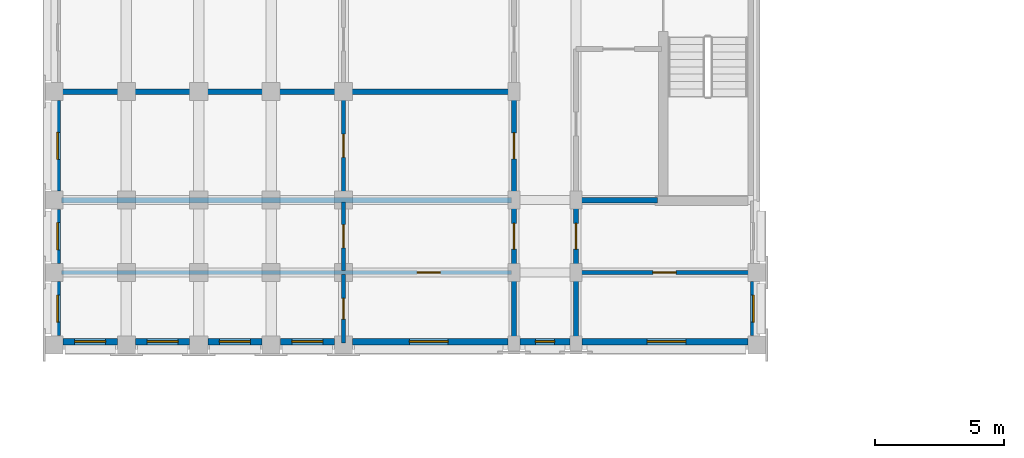
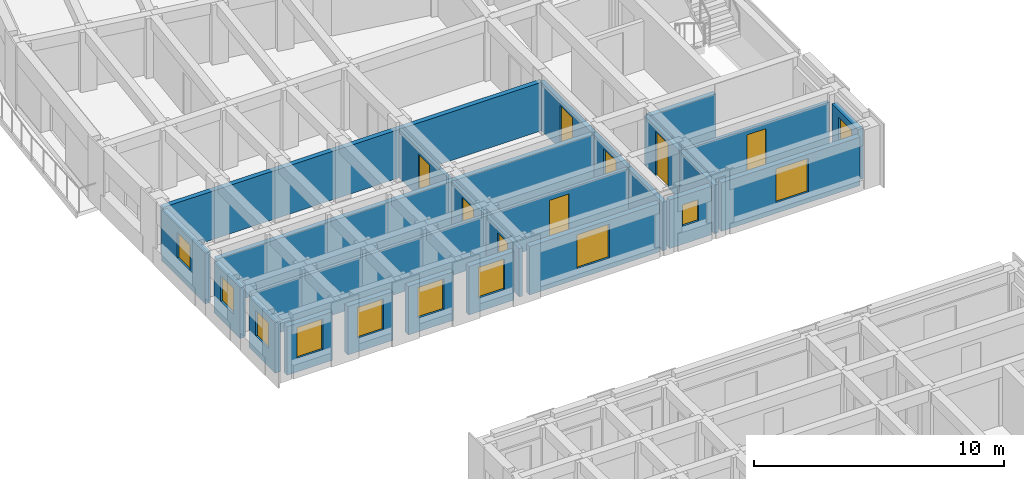
# One storey, part 24 of 57: 24 walls, 11 windows, 8 doors, 19 openings.
"""IFC4 building model written with IfcOpenShell, lengths in metres."""

import ifcopenshell
import ifcopenshell.guid

model = None  # the IFC model being written
_history = None  # IfcOwnerHistory: only IFC2X3 demands one
_inside = {}  # id of a spatial element -> (the spatial element, [elements in it])
_under = {}  # id of a project, library or spatial element -> (it, [spatial elements below it])
_declared = {}  # id of a project -> (the project, [libraries it declares])
_typed = {}  # id of a type object -> (the type object, [elements of that type])
_made_of = {}  # id of a material, layer set ... -> (it, [elements and type objects made of it])


def new_model(schema):
    """Start an empty IFC model of exactly this schema.

    Asked for "IFC4X3", IfcOpenShell would pick the latest addendum, in which some entities
    have other attributes; the version numbers below select the first issue.
    IFC2X3 requires an IfcOwnerHistory on every rooted entity: one is made here for all.
    """
    global model, _history
    if schema == "IFC4X3":
        model = ifcopenshell.file(schema_version=(4, 3, 0, 0))
    else:
        model = ifcopenshell.file(schema=schema)
    _inside.clear()
    _under.clear()
    _declared.clear()
    _typed.clear()
    _made_of.clear()
    _history = None
    if model.schema == "IFC2X3":
        org = make("IfcOrganization", Name="unknown")
        user = make(
            "IfcPersonAndOrganization",
            ThePerson=make("IfcPerson", FamilyName="unknown"),
            TheOrganization=org,
        )
        app = make(
            "IfcApplication",
            ApplicationDeveloper=org,
            Version="unknown",
            ApplicationFullName="unknown",
            ApplicationIdentifier="unknown",
        )
        _history = make(
            "IfcOwnerHistory",
            OwningUser=user,
            OwningApplication=app,
            ChangeAction="ADDED",
            CreationDate=0,
        )
    return model


def make(cls, **values):
    """One entity of the class cls with the attributes given. An attribute that is None is left unset."""
    return model.create_entity(
        cls, **{name: value for name, value in values.items() if value is not None}
    )


def rooted(cls, **values):
    """An entity with a GlobalId (a new one), such as an element, a storey or a relation."""
    return make(cls, GlobalId=ifcopenshell.guid.new(), OwnerHistory=_history, **values)


def si_unit(unit_type, name, prefix=None):
    """IfcSIUnit, for example si_unit("LENGTHUNIT", "METRE", prefix="MILLI")."""
    return make("IfcSIUnit", UnitType=unit_type, Prefix=prefix, Name=name)


def assignment(units):
    """IfcUnitAssignment: the units of a project."""
    return None if units is None else make("IfcUnitAssignment", Units=units)


def point(xyz):
    """IfcCartesianPoint."""
    return None if xyz is None else make("IfcCartesianPoint", Coordinates=xyz)


def direction(xyz):
    """IfcDirection."""
    return None if xyz is None else make("IfcDirection", DirectionRatios=xyz)


def frame(location, z_axis=None, x_axis=None):
    """IfcAxis2Placement3D, a coordinate frame: its origin and axes. An axis left out is left unset."""
    return make(
        "IfcAxis2Placement3D",
        Location=point(location),
        Axis=direction(z_axis),
        RefDirection=direction(x_axis),
    )


def frame_2d(location, x_axis=None):
    """IfcAxis2Placement2D, a coordinate frame in the plane: its origin and x axis."""
    return make(
        "IfcAxis2Placement2D", Location=point(location), RefDirection=direction(x_axis)
    )


def origin():
    """The frame at (0, 0, 0) with its axes left unset."""
    return frame((0.0, 0.0, 0.0))


def place(relative_to, where):
    """IfcLocalPlacement: puts the frame where relative to a parent placement (None: the world)."""
    return make(
        "IfcLocalPlacement", PlacementRelTo=relative_to, RelativePlacement=where
    )


def context(
    kind, dimensions, precision=None, world=None, true_north=None, identifier=None
):
    """IfcGeometricRepresentationContext, for example the 3D "Model" context."""
    return make(
        "IfcGeometricRepresentationContext",
        ContextIdentifier=identifier,
        ContextType=kind,
        CoordinateSpaceDimension=dimensions,
        Precision=precision,
        WorldCoordinateSystem=world,
        TrueNorth=true_north,
    )


def subcontext(parent, identifier, kind, view, scale=None):
    """IfcGeometricRepresentationSubContext, for example "Body" below "Model"."""
    return make(
        "IfcGeometricRepresentationSubContext",
        ContextIdentifier=identifier,
        ContextType=kind,
        ParentContext=parent,
        TargetScale=scale,
        TargetView=view,
    )


def project(units=None, contexts=None):
    """IfcProject with its units and contexts."""
    return rooted(
        "IfcProject",
        Name="project",
        RepresentationContexts=contexts,
        UnitsInContext=assignment(units),
    )


def spatial(cls, under=None, at=None, **own):
    """A site, building, storey or space (cls), placed at a placement, below another one or the project."""
    s = rooted(cls, ObjectPlacement=at, **own)
    if under is not None:
        _under.setdefault(under.id(), (under, []))[1].append(s)
    return s


def profile(cls, at=None, kind="AREA", **sizes):
    """A parametric profile (cls). Its sizes go by their IFC names, for example OverallWidth=200.0."""
    return make(cls, ProfileType=kind, Position=at, **sizes)


def rectangle(**sizes):
    """IfcRectangleProfileDef."""
    return profile("IfcRectangleProfileDef", **sizes)


def extrude(swept, where, along, depth):
    """IfcExtrudedAreaSolid: the profile swept, set in the frame where, extruded along a direction by depth."""
    return make(
        "IfcExtrudedAreaSolid",
        SweptArea=swept,
        Position=where,
        ExtrudedDirection=direction(along),
        Depth=depth,
    )


def shape(context_of_items, identifier, shape_type, items):
    """IfcShapeRepresentation: the items that make up one representation, for example the "Body"."""
    return make(
        "IfcShapeRepresentation",
        ContextOfItems=context_of_items,
        RepresentationIdentifier=identifier,
        RepresentationType=shape_type,
        Items=items,
    )


def material(Name=None, Category=None):
    """IfcMaterial."""
    return make("IfcMaterial", Name=Name, Category=Category)


def layer(
    of_material, thickness, ventilated=None, Name=None, Category=None, Priority=None
):
    """IfcMaterialLayer: one layer of a wall or slab, of a material (None: an air gap)."""
    return make(
        "IfcMaterialLayer",
        Material=of_material,
        LayerThickness=thickness,
        IsVentilated=ventilated,
        Name=Name,
        Category=Category,
        Priority=Priority,
    )


def layer_set(layers, Name=None):
    """IfcMaterialLayerSet."""
    return make("IfcMaterialLayerSet", MaterialLayers=layers, LayerSetName=Name)


def made_of(thing, what):
    """Note that an element or type object is made of a material, layer set ...; save() writes the relation."""
    if what is not None:
        _made_of.setdefault(what.id(), (what, []))[1].append(thing)
    return thing


def type_object(cls, material=None, **own):
    """A type object (cls), such as IfcWallType, which elements share."""
    return made_of(rooted(cls, **own), material)


def element(
    cls,
    number,
    at=None,
    inside=None,
    cuts=None,
    type_object=None,
    material=None,
    context=None,
    identifier="Body",
    shape_type=None,
    held_by="IfcProductDefinitionShape",
    body=None,
    shapes=None,
    **own,
):
    """One element of the class cls, such as IfcWall. Its Tag is "e" and its number.

    at: its placement. inside: the storey or other place that contains it. cuts: it is an
    opening in that element (IfcRelVoidsElement). A single representation is given by context,
    identifier, shape_type and body (its items); several are given by shapes. held_by: the class
    of the entity that holds the representations. save() writes the other relations.
    """
    e = rooted(cls, Tag="e%d" % number, ObjectPlacement=at, **own)
    if body is not None:
        shapes = [shape(context, identifier, shape_type, body)]
    if shapes is not None:
        e.Representation = make(held_by, Representations=shapes)
    if inside is not None:
        _inside.setdefault(inside.id(), (inside, []))[1].append(e)
    if cuts is not None:
        rooted(
            "IfcRelVoidsElement", RelatingBuildingElement=cuts, RelatedOpeningElement=e
        )
    if type_object is not None:
        _typed.setdefault(type_object.id(), (type_object, []))[1].append(e)
    return made_of(e, material)


def fill(opening, filler):
    """IfcRelFillsElement: the door or window that sits in an opening."""
    return rooted(
        "IfcRelFillsElement",
        RelatingOpeningElement=opening,
        RelatedBuildingElement=filler,
    )


def aggregate(whole, parts):
    """IfcRelAggregates: a whole, such as a stair, and the parts it consists of."""
    return rooted("IfcRelAggregates", RelatingObject=whole, RelatedObjects=parts)


def save(model, path):
    """Write the relations noted so far, then the file.

    IfcRelAggregates (storeys below a building ...), IfcRelContainedInSpatialStructure (elements
    in a storey), IfcRelDefinesByType, IfcRelAssociatesMaterial and IfcRelDeclares: one each for
    every whole, place, type object, material and project.
    """
    for whole, parts in _under.values():
        aggregate(whole, parts)
    for where, things in _inside.values():
        rooted(
            "IfcRelContainedInSpatialStructure",
            RelatedElements=things,
            RelatingStructure=where,
        )
    for kind, things in _typed.values():
        rooted("IfcRelDefinesByType", RelatedObjects=things, RelatingType=kind)
    for what, things in _made_of.values():
        rooted("IfcRelAssociatesMaterial", RelatedObjects=things, RelatingMaterial=what)
    for by, libraries in _declared.values():
        rooted("IfcRelDeclares", RelatingContext=by, RelatedDefinitions=libraries)
    model.write(path)


model = new_model("IFC4")

# Units and contexts
model_context = context("Model", 3, precision=1e-05, world=origin(), true_north=direction((0.0, 1.0)))
body_context = subcontext(model_context, "Body", "Model", "MODEL_VIEW")
ifc_project = project(units=[si_unit("LENGTHUNIT", "METRE"), si_unit("AREAUNIT", "SQUARE_METRE"), si_unit("VOLUMEUNIT", "CUBIC_METRE"), si_unit("PLANEANGLEUNIT", "RADIAN"), si_unit("MASSUNIT", "GRAM", prefix="KILO")], contexts=[model_context])

# Site, building, storey
site_placement = place(None, origin())
site = spatial("IfcSite", under=ifc_project, at=site_placement, CompositionType="ELEMENT")
building_placement = place(site_placement, origin())
building = spatial("IfcBuilding", under=site, at=building_placement, Name="Kiranvali Square Residences", CompositionType="ELEMENT")
storey_placement = place(building_placement, frame((0.0, 0.0, 21.300048828125)))
storey = spatial("IfcBuildingStorey", under=building, at=storey_placement, Name="L06", CompositionType="ELEMENT", Elevation=21.300048828125)

# Wall, opening, door
ifc_material_1 = material(Name="Autoclaved aerated concrete blockwork masonry", Category="masonry")
ifc_layer_1 = layer(ifc_material_1, 0.199951171875)
ifc_layer_set_1 = layer_set([ifc_layer_1], Name="Autoclaved aerated concrete blockwork masonry")
wall_type_1 = type_object("IfcWallType", Name="WL-COR-200", PredefinedType="STANDARD", material=ifc_layer_set_1)
wall_1_placement = place(storey_placement, frame((20.0, 83.60009765625, 0.0), z_axis=(0.0, 0.0, 1.0), x_axis=(0.0, -1.0, 0.0)))
wall_1 = element("IfcWall", 1, at=wall_1_placement, inside=storey, type_object=wall_type_1, Name="L06 architectural wall WL-L06-A-A2CF-C1", PredefinedType="STANDARD", context=body_context, shape_type="SweptSolid", body=[
    extrude(rectangle(XDim=4.2001953125, YDim=0.199951171875, at=frame_2d((2.10009765625, 0.0))), origin(), (0.0, 0.0, 1.0), 2.3720703125),
])
opening_1_placement = place(wall_1_placement, frame((1.60009765625, 0.0, 0.0)))
opening_1 = element("IfcOpeningElement", 2, at=opening_1_placement, cuts=wall_1, Name="Opening FD-APT-60", PredefinedType="OPENING", context=body_context, shape_type="SweptSolid", body=[
    extrude(rectangle(XDim=1.0, YDim=2.14990234375, at=frame_2d((0.5, 1.074951171875))), frame((0.0, 0.10986328125, 0.0), z_axis=(0.0, -1.0, 0.0), x_axis=(1.0, 0.0, 0.0)), (0.0, 0.0, 1.0), 0.219970703125),
])
ifc_material_2 = material(Name="Fire-rated acoustic hardwood and mineral-core door assembly", Category="wood")
door_type_1 = type_object("IfcDoorType", Name="DR-APT-1000", OperationType="NOTDEFINED", PredefinedType="DOOR", material=ifc_material_2)
door_1_placement = place(opening_1_placement, origin())
door_1 = element("IfcDoor", 3, at=door_1_placement, inside=storey, type_object=door_type_1, Name="L06 door DR-L06-0443 (DR-APT-1000)", OperationType="SINGLE_SWING_LEFT", OverallHeight=2.14990234375, OverallWidth=1.0, PredefinedType="DOOR", context=body_context, shape_type="SweptSolid", body=[
    extrude(rectangle(XDim=1.0, YDim=2.14990234375, at=frame_2d((0.5, 1.074951171875))), frame((0.0, 0.02490234375, 0.0), z_axis=(0.0, -1.0, 0.0), x_axis=(1.0, 0.0, 0.0)), (0.0, 0.0, 1.0), 0.050048828125),
])
fill(opening_1, door_1)

wall_2_placement = place(storey_placement, frame((22.39990234375, 79.39990234375, 0.0), z_axis=(0.0, 0.0, 1.0), x_axis=(0.0, -1.0, 0.0)))
wall_2 = element("IfcWall", 4, at=wall_2_placement, inside=storey, type_object=wall_type_1, Name="L06 architectural wall WL-L06-A-A2CI-0", PredefinedType="STANDARD", context=body_context, shape_type="SweptSolid", body=[
    extrude(rectangle(XDim=2.7998046875, YDim=0.199951171875, at=frame_2d((1.39990234375, 0.0))), origin(), (0.0, 0.0, 1.0), 2.3720703125),
])
opening_2_placement = place(wall_2_placement, frame((0.89990234375, 0.0, 0.0)))
opening_2 = element("IfcOpeningElement", 5, at=opening_2_placement, cuts=wall_2, Name="Opening FD-APT-60", PredefinedType="OPENING", context=body_context, shape_type="SweptSolid", body=[
    extrude(rectangle(XDim=1.0, YDim=2.14990234375, at=frame_2d((0.5, 1.074951171875))), frame((0.0, 0.10986328125, 0.0), z_axis=(0.0, -1.0, 0.0), x_axis=(1.0, 0.0, 0.0)), (0.0, 0.0, 1.0), 0.219970703125),
])
door_2_placement = place(opening_2_placement, origin())
door_2 = element("IfcDoor", 6, at=door_2_placement, inside=storey, type_object=door_type_1, Name="L06 door DR-L06-0445 (DR-APT-1000)", OperationType="SINGLE_SWING_LEFT", OverallHeight=2.14990234375, OverallWidth=1.0, PredefinedType="DOOR", context=body_context, shape_type="SweptSolid", body=[
    extrude(rectangle(XDim=1.0, YDim=2.14990234375, at=frame_2d((0.5, 1.074951171875))), frame((0.0, 0.02490234375, 0.0), z_axis=(0.0, -1.0, 0.0), x_axis=(1.0, 0.0, 0.0)), (0.0, 0.0, 1.0), 0.050048828125),
])
fill(opening_2, door_2)

wall_3_placement = place(storey_placement, frame((20.0, 79.39990234375, 0.0), z_axis=(0.0, 0.0, 1.0), x_axis=(0.0, -1.0, 0.0)))
wall_3 = element("IfcWall", 7, at=wall_3_placement, inside=storey, type_object=wall_type_1, Name="L06 architectural wall WL-L06-A-A2CO-0", PredefinedType="STANDARD", context=body_context, shape_type="SweptSolid", body=[
    extrude(rectangle(XDim=2.7998046875, YDim=0.199951171875, at=frame_2d((1.39990234375, 0.0))), origin(), (0.0, 0.0, 1.0), 2.3720703125),
])
opening_3_placement = place(wall_3_placement, frame((0.89990234375, 0.0, 0.0)))
opening_3 = element("IfcOpeningElement", 8, at=opening_3_placement, cuts=wall_3, Name="Opening FD-APT-60", PredefinedType="OPENING", context=body_context, shape_type="SweptSolid", body=[
    extrude(rectangle(XDim=1.0, YDim=2.14990234375, at=frame_2d((0.5, 1.074951171875))), frame((0.0, 0.10986328125, 0.0), z_axis=(0.0, -1.0, 0.0), x_axis=(1.0, 0.0, 0.0)), (0.0, 0.0, 1.0), 0.219970703125),
])
door_3_placement = place(opening_3_placement, origin())
door_3 = element("IfcDoor", 9, at=door_3_placement, inside=storey, type_object=door_type_1, Name="L06 door DR-L06-0447 (DR-APT-1000)", OperationType="SINGLE_SWING_LEFT", OverallHeight=2.14990234375, OverallWidth=1.0, PredefinedType="DOOR", context=body_context, shape_type="SweptSolid", body=[
    extrude(rectangle(XDim=1.0, YDim=2.14990234375, at=frame_2d((0.5, 1.074951171875))), frame((0.0, 0.02490234375, 0.0), z_axis=(0.0, -1.0, 0.0), x_axis=(1.0, 0.0, 0.0)), (0.0, 0.0, 1.0), 0.050048828125),
])
fill(opening_3, door_3)

# Walls
for number, where, z_axis, x_axis, name in (
    (10, (22.39990234375, 76.60009765625, 0.0), (0.0, 0.0, 1.0), (0.0, -1.0, 0.0), "L06 architectural wall WL-L06-A-A2CI-1"),
    (11, (20.0, 76.60009765625, 0.0), (0.0, 0.0, 1.0), (0.0, -1.0, 0.0), "L06 architectural wall WL-L06-A-A2CO-1"),
):
    element("IfcWall", number, at=place(storey_placement, frame(where, z_axis=z_axis, x_axis=x_axis)), inside=storey, type_object=wall_type_1, Name=name, PredefinedType="STANDARD", context=body_context, shape_type="SweptSolid", body=[
        extrude(rectangle(XDim=2.800048828125, YDim=0.199951171875, at=frame_2d((1.39990234375, 0.0))), origin(), (0.0, 0.0, 1.0), 2.3720703125),
    ])
ifc_layer_2 = layer(ifc_material_1, 0.219970703125)
ifc_layer_set_2 = layer_set([ifc_layer_2], Name="Autoclaved aerated concrete blockwork masonry")
wall_type_2 = type_object("IfcWallType", Name="WL-DEM-220", PredefinedType="STANDARD", material=ifc_layer_set_2)
wall_4_placement = place(storey_placement, frame((19.949951171875, 83.60009765625, 0.0), z_axis=(0.0, 0.0, 1.0), x_axis=(-1.0, 0.0, 0.0)))
element("IfcWall", 12, at=wall_4_placement, inside=storey, type_object=wall_type_2, Name="L06 architectural wall WL-L06-A-A2CF-MID", PredefinedType="STANDARD", context=body_context, shape_type="SweptSolid", body=[
    extrude(rectangle(XDim=17.530029296875, YDim=0.219970703125, at=frame_2d((8.76513671875, 0.0))), origin(), (0.0, 0.0, 1.0), 2.3720703125),
])
wall_5_placement = place(storey_placement, frame((25.550048828125, 79.39990234375, 0.0), z_axis=(0.0, 0.0, 1.0), x_axis=(-1.0, 0.0, 0.0)))
element("IfcWall", 13, at=wall_5_placement, inside=storey, type_object=wall_type_2, Name="L06 architectural wall WL-L06-A-A2TI-0", PredefinedType="STANDARD", context=body_context, shape_type="SweptSolid", body=[
    extrude(rectangle(XDim=3.10009765625, YDim=0.219970703125, at=frame_2d((1.550048828125, 0.0))), origin(), (0.0, 0.0, 1.0), 2.3720703125),
])
wall_6_placement = place(storey_placement, frame((19.89990234375, 79.39990234375, 0.0), z_axis=(0.0, 0.0, 1.0), x_axis=(-1.0, 0.0, 0.0)))
element("IfcWall", 14, at=wall_6_placement, inside=storey, type_object=wall_type_2, Name="L06 architectural wall WL-L06-A-A2TO-0", PredefinedType="STANDARD", context=body_context, shape_type="SweptSolid", body=[
    extrude(rectangle(XDim=17.419921875, YDim=0.219970703125, at=frame_2d((8.7099609375, 0.0))), origin(), (0.0, 0.0, 1.0), 2.3720703125),
])

# Wall, opening, window
ifc_material_3 = material(Name="Breathable lime-rendered clay brick masonry", Category="masonry")
ifc_layer_3 = layer(ifc_material_3, 0.25)
ifc_layer_set_3 = layer_set([ifc_layer_3], Name="Breathable lime-rendered clay brick masonry")
wall_type_3 = type_object("IfcWallType", Name="WL-EXT-250", PredefinedType="STANDARD", material=ifc_layer_set_3)
wall_7_placement = place(storey_placement, frame((2.324951171875, 83.24658203125, 0.0), z_axis=(0.0, 0.0, 1.0), x_axis=(0.0, -1.0, 0.0)))
wall_7 = element("IfcWall", 15, at=wall_7_placement, inside=storey, type_object=wall_type_3, Name="L06 exterior wall A-L06-A2O-1", PredefinedType="STANDARD", context=body_context, shape_type="SweptSolid", body=[
    extrude(rectangle(XDim=3.4931640625, YDim=0.25, at=frame_2d((1.74658203125, 0.0))), origin(), (0.0, 0.0, 1.0), 2.471923828125),
])
opening_4_placement = place(wall_7_placement, frame((1.221435546875, 0.0, 0.8798828125)))
opening_4 = element("IfcOpeningElement", 16, at=opening_4_placement, cuts=wall_7, Name="Opening W-24", PredefinedType="OPENING", context=body_context, shape_type="SweptSolid", body=[
    extrude(rectangle(XDim=1.050048828125, YDim=1.25, at=frame_2d((0.52490234375, 0.625))), frame((0.0, 0.135009765625, 0.0), z_axis=(0.0, -1.0, 0.0), x_axis=(1.0, 0.0, 0.0)), (0.0, 0.0, 1.0), 0.27001953125),
])
ifc_material_4 = material(Name="Solar-control low-e double glazing", Category="glass")
window_type_1 = type_object("IfcWindowType", Name="WIN-COR-1050x1250", PartitioningType="SINGLE_PANEL", PredefinedType="WINDOW", material=ifc_material_4)
window_1_placement = place(opening_4_placement, origin())
window_1 = element("IfcWindow", 17, at=window_1_placement, inside=storey, type_object=window_type_1, Name="L06 recessed window A-L06-A2O-1", OverallHeight=1.25, OverallWidth=1.050048828125, PartitioningType="SINGLE_PANEL", PredefinedType="WINDOW", context=body_context, shape_type="SweptSolid", body=[
    extrude(rectangle(XDim=1.050048828125, YDim=1.25, at=frame_2d((0.52490234375, 0.625))), frame((0.0, 0.030029296875, 0.0), z_axis=(0.0, -1.0, 0.0), x_axis=(1.0, 0.0, 0.0)), (0.0, 0.0, 1.0), 0.06005859375),
])
fill(opening_4, window_1)

wall_8_placement = place(storey_placement, frame((2.324951171875, 79.04638671875, 0.0), z_axis=(0.0, 0.0, 1.0), x_axis=(0.0, -1.0, 0.0)))
wall_8 = element("IfcWall", 18, at=wall_8_placement, inside=storey, type_object=wall_type_3, Name="L06 exterior wall A-L06-A2O-2", PredefinedType="STANDARD", context=body_context, shape_type="SweptSolid", body=[
    extrude(rectangle(XDim=2.0927734375, YDim=0.25, at=frame_2d((1.04638671875, 0.0))), origin(), (0.0, 0.0, 1.0), 2.471923828125),
])
opening_5_placement = place(wall_8_placement, frame((0.521484375, 0.0, 0.8798828125)))
opening_5 = element("IfcOpeningElement", 19, at=opening_5_placement, cuts=wall_8, Name="Opening W-24", PredefinedType="OPENING", context=body_context, shape_type="SweptSolid", body=[
    extrude(rectangle(XDim=1.050048828125, YDim=1.25, at=frame_2d((0.52490234375, 0.625))), frame((0.0, 0.135009765625, 0.0), z_axis=(0.0, -1.0, 0.0), x_axis=(1.0, 0.0, 0.0)), (0.0, 0.0, 1.0), 0.27001953125),
])
window_2_placement = place(opening_5_placement, origin())
window_2 = element("IfcWindow", 20, at=window_2_placement, inside=storey, type_object=window_type_1, Name="L06 recessed window A-L06-A2O-2", OverallHeight=1.25, OverallWidth=1.050048828125, PartitioningType="SINGLE_PANEL", PredefinedType="WINDOW", context=body_context, shape_type="SweptSolid", body=[
    extrude(rectangle(XDim=1.050048828125, YDim=1.25, at=frame_2d((0.52490234375, 0.625))), frame((0.0, 0.030029296875, 0.0), z_axis=(0.0, -1.0, 0.0), x_axis=(1.0, 0.0, 0.0)), (0.0, 0.0, 1.0), 0.06005859375),
])
fill(opening_5, window_2)

wall_9_placement = place(storey_placement, frame((2.324951171875, 76.24658203125, 0.0), z_axis=(0.0, 0.0, 1.0), x_axis=(0.0, -1.0, 0.0)))
wall_9 = element("IfcWall", 21, at=wall_9_placement, inside=storey, type_object=wall_type_3, Name="L06 exterior wall A-L06-A2O-3", PredefinedType="STANDARD", context=body_context, shape_type="SweptSolid", body=[
    extrude(rectangle(XDim=2.093017578125, YDim=0.25, at=frame_2d((1.04638671875, 0.0))), origin(), (0.0, 0.0, 1.0), 2.471923828125),
])
opening_6_placement = place(wall_9_placement, frame((0.521484375, 0.0, 0.8798828125)))
opening_6 = element("IfcOpeningElement", 22, at=opening_6_placement, cuts=wall_9, Name="Opening W-24", PredefinedType="OPENING", context=body_context, shape_type="SweptSolid", body=[
    extrude(rectangle(XDim=1.050048828125, YDim=1.25, at=frame_2d((0.52490234375, 0.625))), frame((0.0, 0.135009765625, 0.0), z_axis=(0.0, -1.0, 0.0), x_axis=(1.0, 0.0, 0.0)), (0.0, 0.0, 1.0), 0.27001953125),
])
window_3_placement = place(opening_6_placement, origin())
window_3 = element("IfcWindow", 23, at=window_3_placement, inside=storey, type_object=window_type_1, Name="L06 recessed window A-L06-A2O-3", OverallHeight=1.25, OverallWidth=1.050048828125, PartitioningType="SINGLE_PANEL", PredefinedType="WINDOW", context=body_context, shape_type="SweptSolid", body=[
    extrude(rectangle(XDim=1.050048828125, YDim=1.25, at=frame_2d((0.52490234375, 0.625))), frame((0.0, 0.030029296875, 0.0), z_axis=(0.0, -1.0, 0.0), x_axis=(1.0, 0.0, 0.0)), (0.0, 0.0, 1.0), 0.06005859375),
])
fill(opening_6, window_3)

wall_10_placement = place(storey_placement, frame((29.27490234375, 76.24658203125, 0.0), z_axis=(0.0, 0.0, 1.0), x_axis=(0.0, -1.0, 0.0)))
wall_10 = element("IfcWall", 24, at=wall_10_placement, inside=storey, type_object=wall_type_3, Name="L06 exterior wall A-L06-A2I-1", PredefinedType="STANDARD", context=body_context, shape_type="SweptSolid", body=[
    extrude(rectangle(XDim=2.093017578125, YDim=0.25, at=frame_2d((1.04638671875, 0.0))), origin(), (0.0, 0.0, 1.0), 2.471923828125),
])
opening_7_placement = place(wall_10_placement, frame((0.521484375, 0.0, 0.8798828125)))
opening_7 = element("IfcOpeningElement", 25, at=opening_7_placement, cuts=wall_10, Name="Opening W-24", PredefinedType="OPENING", context=body_context, shape_type="SweptSolid", body=[
    extrude(rectangle(XDim=1.050048828125, YDim=1.25, at=frame_2d((0.52490234375, 0.625))), frame((0.0, 0.135009765625, 0.0), z_axis=(0.0, -1.0, 0.0), x_axis=(1.0, 0.0, 0.0)), (0.0, 0.0, 1.0), 0.27001953125),
])
window_4_placement = place(opening_7_placement, origin())
window_4 = element("IfcWindow", 26, at=window_4_placement, inside=storey, type_object=window_type_1, Name="L06 recessed window A-L06-A2I-1", OverallHeight=1.25, OverallWidth=1.050048828125, PartitioningType="SINGLE_PANEL", PredefinedType="WINDOW", context=body_context, shape_type="SweptSolid", body=[
    extrude(rectangle(XDim=1.050048828125, YDim=1.25, at=frame_2d((0.52490234375, 0.625))), frame((0.0, 0.030029296875, 0.0), z_axis=(0.0, -1.0, 0.0), x_axis=(1.0, 0.0, 0.0)), (0.0, 0.0, 1.0), 0.06005859375),
])
fill(opening_7, window_4)

wall_11_placement = place(storey_placement, frame((29.04638671875, 73.925048828125, 0.0), z_axis=(0.0, 0.0, 1.0), x_axis=(-1.0, 0.0, 0.0)))
wall_11 = element("IfcWall", 27, at=wall_11_placement, inside=storey, type_object=wall_type_3, Name="L06 exterior wall A-L06-A2END-0", PredefinedType="STANDARD", context=body_context, shape_type="SweptSolid", body=[
    extrude(rectangle(XDim=6.41796875, YDim=0.25, at=frame_2d((3.208984375, 0.0))), origin(), (0.0, 0.0, 1.0), 2.3720703125),
])
opening_8_placement = place(wall_11_placement, frame((2.396484375, 0.0, 0.52197265625)))
opening_8 = element("IfcOpeningElement", 28, at=opening_8_placement, cuts=wall_11, Name="Opening W-05", PredefinedType="OPENING", context=body_context, shape_type="SweptSolid", body=[
    extrude(rectangle(XDim=1.5, YDim=1.64990234375, at=frame_2d((0.75, 0.824951171875))), frame((0.0, 0.135009765625, 0.0), z_axis=(0.0, -1.0, 0.0), x_axis=(1.0, 0.0, 0.0)), (0.0, 0.0, 1.0), 0.27001953125),
])
window_type_2 = type_object("IfcWindowType", Name="WIN-RES-1500x1650", PartitioningType="DOUBLE_PANEL_VERTICAL", PredefinedType="WINDOW", material=ifc_material_4)
window_5_placement = place(opening_8_placement, origin())
window_5 = element("IfcWindow", 29, at=window_5_placement, inside=storey, type_object=window_type_2, Name="L06 recessed window A-L06-A2END-0", OverallHeight=1.64990234375, OverallWidth=1.5, PartitioningType="DOUBLE_PANEL_VERTICAL", PredefinedType="WINDOW", context=body_context, shape_type="SweptSolid", body=[
    extrude(rectangle(XDim=1.5, YDim=1.64990234375, at=frame_2d((0.75, 0.824951171875))), frame((0.0, 0.030029296875, 0.0), z_axis=(0.0, -1.0, 0.0), x_axis=(1.0, 0.0, 0.0)), (0.0, 0.0, 1.0), 0.06005859375),
])
fill(opening_8, window_5)

wall_12_placement = place(storey_placement, frame((22.17138671875, 73.925048828125, 0.0), z_axis=(0.0, 0.0, 1.0), x_axis=(-1.0, 0.0, 0.0)))
wall_12 = element("IfcWall", 30, at=wall_12_placement, inside=storey, type_object=wall_type_3, Name="L06 exterior wall A-L06-A2END-1", PredefinedType="STANDARD", context=body_context, shape_type="SweptSolid", body=[
    extrude(rectangle(XDim=1.94287109375, YDim=0.25, at=frame_2d((0.971435546875, 0.0))), origin(), (0.0, 0.0, 1.0), 2.3720703125),
])
opening_9_placement = place(wall_12_placement, frame((0.596435546875, 0.0, 0.8798828125)))
opening_9 = element("IfcOpeningElement", 31, at=opening_9_placement, cuts=wall_12, Name="Opening W-07", PredefinedType="OPENING", context=body_context, shape_type="SweptSolid", body=[
    extrude(rectangle(XDim=0.75, YDim=1.050048828125, at=frame_2d((0.375, 0.52490234375))), frame((0.0, 0.135009765625, 0.0), z_axis=(0.0, -1.0, 0.0), x_axis=(1.0, 0.0, 0.0)), (0.0, 0.0, 1.0), 0.27001953125),
])
window_type_3 = type_object("IfcWindowType", Name="WIN-WET-750x1050", PartitioningType="SINGLE_PANEL", PredefinedType="WINDOW", material=ifc_material_4)
window_6_placement = place(opening_9_placement, origin())
window_6 = element("IfcWindow", 32, at=window_6_placement, inside=storey, type_object=window_type_3, Name="L06 recessed window A-L06-A2END-1", OverallHeight=1.050048828125, OverallWidth=0.75, PartitioningType="SINGLE_PANEL", PredefinedType="WINDOW", context=body_context, shape_type="SweptSolid", body=[
    extrude(rectangle(XDim=0.75, YDim=1.050048828125, at=frame_2d((0.375, 0.52490234375))), frame((0.0, 0.030029296875, 0.0), z_axis=(0.0, -1.0, 0.0), x_axis=(1.0, 0.0, 0.0)), (0.0, 0.0, 1.0), 0.06005859375),
])
fill(opening_9, window_6)

wall_13_placement = place(storey_placement, frame((19.771484375, 73.925048828125, 0.0), z_axis=(0.0, 0.0, 1.0), x_axis=(-1.0, 0.0, 0.0)))
wall_13 = element("IfcWall", 33, at=wall_13_placement, inside=storey, type_object=wall_type_3, Name="L06 exterior wall A-L06-A2END-2", PredefinedType="STANDARD", context=body_context, shape_type="SweptSolid", body=[
    extrude(rectangle(XDim=6.01806640625, YDim=0.25, at=frame_2d((3.009033203125, 0.0))), origin(), (0.0, 0.0, 1.0), 2.3720703125),
])
opening_10_placement = place(wall_13_placement, frame((2.321533203125, 0.0, 0.52197265625)))
opening_10 = element("IfcOpeningElement", 34, at=opening_10_placement, cuts=wall_13, Name="Opening W-05", PredefinedType="OPENING", context=body_context, shape_type="SweptSolid", body=[
    extrude(rectangle(XDim=1.5, YDim=1.64990234375, at=frame_2d((0.75, 0.824951171875))), frame((0.0, 0.135009765625, 0.0), z_axis=(0.0, -1.0, 0.0), x_axis=(1.0, 0.0, 0.0)), (0.0, 0.0, 1.0), 0.27001953125),
])
window_7_placement = place(opening_10_placement, origin())
window_7 = element("IfcWindow", 35, at=window_7_placement, inside=storey, type_object=window_type_2, Name="L06 recessed window A-L06-A2END-2", OverallHeight=1.64990234375, OverallWidth=1.5, PartitioningType="DOUBLE_PANEL_VERTICAL", PredefinedType="WINDOW", context=body_context, shape_type="SweptSolid", body=[
    extrude(rectangle(XDim=1.5, YDim=1.64990234375, at=frame_2d((0.75, 0.824951171875))), frame((0.0, 0.030029296875, 0.0), z_axis=(0.0, -1.0, 0.0), x_axis=(1.0, 0.0, 0.0)), (0.0, 0.0, 1.0), 0.06005859375),
])
fill(opening_10, window_7)

wall_14_placement = place(storey_placement, frame((13.04638671875, 73.925048828125, 0.0), z_axis=(0.0, 0.0, 1.0), x_axis=(-1.0, 0.0, 0.0)))
wall_14 = element("IfcWall", 36, at=wall_14_placement, inside=storey, type_object=wall_type_3, Name="L06 exterior wall A-L06-A2END-3", PredefinedType="STANDARD", context=body_context, shape_type="SweptSolid", body=[
    extrude(rectangle(XDim=2.0927734375, YDim=0.25, at=frame_2d((1.04638671875, 0.0))), origin(), (0.0, 0.0, 1.0), 2.3720703125),
])
opening_11_placement = place(wall_14_placement, frame((0.446533203125, 0.0, 0.672119140625)))
opening_11 = element("IfcOpeningElement", 37, at=opening_11_placement, cuts=wall_14, Name="Opening W-06", PredefinedType="OPENING", context=body_context, shape_type="SweptSolid", body=[
    extrude(rectangle(XDim=1.199951171875, YDim=1.5, at=frame_2d((0.60009765625, 0.75))), frame((0.0, 0.135009765625, 0.0), z_axis=(0.0, -1.0, 0.0), x_axis=(1.0, 0.0, 0.0)), (0.0, 0.0, 1.0), 0.27001953125),
])
window_type_4 = type_object("IfcWindowType", Name="WIN-RES-1200x1500", PartitioningType="SINGLE_PANEL", PredefinedType="WINDOW", material=ifc_material_4)
window_8_placement = place(opening_11_placement, origin())
window_8 = element("IfcWindow", 38, at=window_8_placement, inside=storey, type_object=window_type_4, Name="L06 recessed window A-L06-A2END-3", OverallHeight=1.5, OverallWidth=1.199951171875, PartitioningType="SINGLE_PANEL", PredefinedType="WINDOW", context=body_context, shape_type="SweptSolid", body=[
    extrude(rectangle(XDim=1.199951171875, YDim=1.5, at=frame_2d((0.60009765625, 0.75))), frame((0.0, 0.030029296875, 0.0), z_axis=(0.0, -1.0, 0.0), x_axis=(1.0, 0.0, 0.0)), (0.0, 0.0, 1.0), 0.06005859375),
])
fill(opening_11, window_8)

wall_15_placement = place(storey_placement, frame((10.24658203125, 73.925048828125, 0.0), z_axis=(0.0, 0.0, 1.0), x_axis=(-1.0, 0.0, 0.0)))
wall_15 = element("IfcWall", 39, at=wall_15_placement, inside=storey, type_object=wall_type_3, Name="L06 exterior wall A-L06-A2END-4", PredefinedType="STANDARD", context=body_context, shape_type="SweptSolid", body=[
    extrude(rectangle(XDim=2.093017578125, YDim=0.25, at=frame_2d((1.04638671875, 0.0))), origin(), (0.0, 0.0, 1.0), 2.3720703125),
])
opening_12_placement = place(wall_15_placement, frame((0.446533203125, 0.0, 0.672119140625)))
opening_12 = element("IfcOpeningElement", 40, at=opening_12_placement, cuts=wall_15, Name="Opening W-06", PredefinedType="OPENING", context=body_context, shape_type="SweptSolid", body=[
    extrude(rectangle(XDim=1.199951171875, YDim=1.5, at=frame_2d((0.60009765625, 0.75))), frame((0.0, 0.135009765625, 0.0), z_axis=(0.0, -1.0, 0.0), x_axis=(1.0, 0.0, 0.0)), (0.0, 0.0, 1.0), 0.27001953125),
])
window_9_placement = place(opening_12_placement, origin())
window_9 = element("IfcWindow", 41, at=window_9_placement, inside=storey, type_object=window_type_4, Name="L06 recessed window A-L06-A2END-4", OverallHeight=1.5, OverallWidth=1.199951171875, PartitioningType="SINGLE_PANEL", PredefinedType="WINDOW", context=body_context, shape_type="SweptSolid", body=[
    extrude(rectangle(XDim=1.199951171875, YDim=1.5, at=frame_2d((0.60009765625, 0.75))), frame((0.0, 0.030029296875, 0.0), z_axis=(0.0, -1.0, 0.0), x_axis=(1.0, 0.0, 0.0)), (0.0, 0.0, 1.0), 0.06005859375),
])
fill(opening_12, window_9)

wall_16_placement = place(storey_placement, frame((7.446533203125, 73.925048828125, 0.0), z_axis=(0.0, 0.0, 1.0), x_axis=(-1.0, 0.0, 0.0)))
wall_16 = element("IfcWall", 42, at=wall_16_placement, inside=storey, type_object=wall_type_3, Name="L06 exterior wall A-L06-A2END-5", PredefinedType="STANDARD", context=body_context, shape_type="SweptSolid", body=[
    extrude(rectangle(XDim=2.093017578125, YDim=0.25, at=frame_2d((1.04638671875, 0.0))), origin(), (0.0, 0.0, 1.0), 2.3720703125),
])
opening_13_placement = place(wall_16_placement, frame((0.446533203125, 0.0, 0.672119140625)))
opening_13 = element("IfcOpeningElement", 43, at=opening_13_placement, cuts=wall_16, Name="Opening W-06", PredefinedType="OPENING", context=body_context, shape_type="SweptSolid", body=[
    extrude(rectangle(XDim=1.199951171875, YDim=1.5, at=frame_2d((0.60009765625, 0.75))), frame((0.0, 0.135009765625, 0.0), z_axis=(0.0, -1.0, 0.0), x_axis=(1.0, 0.0, 0.0)), (0.0, 0.0, 1.0), 0.27001953125),
])
window_10_placement = place(opening_13_placement, origin())
window_10 = element("IfcWindow", 44, at=window_10_placement, inside=storey, type_object=window_type_4, Name="L06 recessed window A-L06-A2END-5", OverallHeight=1.5, OverallWidth=1.199951171875, PartitioningType="SINGLE_PANEL", PredefinedType="WINDOW", context=body_context, shape_type="SweptSolid", body=[
    extrude(rectangle(XDim=1.199951171875, YDim=1.5, at=frame_2d((0.60009765625, 0.75))), frame((0.0, 0.030029296875, 0.0), z_axis=(0.0, -1.0, 0.0), x_axis=(1.0, 0.0, 0.0)), (0.0, 0.0, 1.0), 0.06005859375),
])
fill(opening_13, window_10)

wall_17_placement = place(storey_placement, frame((4.646484375, 73.925048828125, 0.0), z_axis=(0.0, 0.0, 1.0), x_axis=(-1.0, 0.0, 0.0)))
wall_17 = element("IfcWall", 45, at=wall_17_placement, inside=storey, type_object=wall_type_3, Name="L06 exterior wall A-L06-A2END-6", PredefinedType="STANDARD", context=body_context, shape_type="SweptSolid", body=[
    extrude(rectangle(XDim=2.093017578125, YDim=0.25, at=frame_2d((1.04638671875, 0.0))), origin(), (0.0, 0.0, 1.0), 2.3720703125),
])
opening_14_placement = place(wall_17_placement, frame((0.446533203125, 0.0, 0.672119140625)))
opening_14 = element("IfcOpeningElement", 46, at=opening_14_placement, cuts=wall_17, Name="Opening W-06", PredefinedType="OPENING", context=body_context, shape_type="SweptSolid", body=[
    extrude(rectangle(XDim=1.199951171875, YDim=1.5, at=frame_2d((0.60009765625, 0.75))), frame((0.0, 0.135009765625, 0.0), z_axis=(0.0, -1.0, 0.0), x_axis=(1.0, 0.0, 0.0)), (0.0, 0.0, 1.0), 0.27001953125),
])
window_11_placement = place(opening_14_placement, origin())
window_11 = element("IfcWindow", 47, at=window_11_placement, inside=storey, type_object=window_type_4, Name="L06 recessed window A-L06-A2END-6", OverallHeight=1.5, OverallWidth=1.199951171875, PartitioningType="SINGLE_PANEL", PredefinedType="WINDOW", context=body_context, shape_type="SweptSolid", body=[
    extrude(rectangle(XDim=1.199951171875, YDim=1.5, at=frame_2d((0.60009765625, 0.75))), frame((0.0, 0.030029296875, 0.0), z_axis=(0.0, -1.0, 0.0), x_axis=(1.0, 0.0, 0.0)), (0.0, 0.0, 1.0), 0.06005859375),
])
fill(opening_14, window_11)

# Wall, opening, door
ifc_material_5 = material(Name="Acoustic gypsum board drylined partition", Category="gypsum")
ifc_layer_4 = layer(ifc_material_5, 0.14990234375)
ifc_layer_set_4 = layer_set([ifc_layer_4], Name="Acoustic gypsum board drylined partition")
wall_type_4 = type_object("IfcWallType", Name="WL-PRT-150", PredefinedType="PARTITIONING", material=ifc_layer_set_4)
wall_18_placement = place(storey_placement, frame((13.39990234375, 83.52001953125, 0.0), z_axis=(0.0, 0.0, 1.0), x_axis=(0.0, -1.0, 0.0)))
wall_18 = element("IfcWall", 48, at=wall_18_placement, inside=storey, type_object=wall_type_4, Name="L06 architectural wall WL-L06-A-A2CF-SP1", PredefinedType="PARTITIONING", context=body_context, shape_type="SweptSolid", body=[
    extrude(rectangle(XDim=4.0400390625, YDim=0.14990234375, at=frame_2d((2.02001953125, 0.0))), origin(), (0.0, 0.0, 1.0), 2.3720703125),
])
opening_15_placement = place(wall_18_placement, frame((1.570068359375, 0.0, 0.0)))
opening_15 = element("IfcOpeningElement", 49, at=opening_15_placement, cuts=wall_18, Name="Opening ID-1", PredefinedType="OPENING", context=body_context, shape_type="SweptSolid", body=[
    extrude(rectangle(XDim=0.89990234375, YDim=2.10009765625, at=frame_2d((0.449951171875, 1.050048828125))), frame((0.0, 0.0849609375, 0.0), z_axis=(0.0, -1.0, 0.0), x_axis=(1.0, 0.0, 0.0)), (0.0, 0.0, 1.0), 0.169921875),
])
ifc_material_6 = material(Name="Solid seasoned teak hardwood joinery", Category="wood")
door_type_2 = type_object("IfcDoorType", Name="DR-INT-900", OperationType="NOTDEFINED", PredefinedType="DOOR", material=ifc_material_6)
door_4_placement = place(opening_15_placement, frame((0.89990234375, 0.0, 0.0), z_axis=(0.0, 0.0, 1.0), x_axis=(-1.0, 0.0, 0.0)))
door_4 = element("IfcDoor", 50, at=door_4_placement, inside=storey, type_object=door_type_2, Name="L06 door DR-L06-0444 (DR-INT-900)", OperationType="SINGLE_SWING_RIGHT", OverallHeight=2.10009765625, OverallWidth=0.89990234375, PredefinedType="DOOR", context=body_context, shape_type="SweptSolid", body=[
    extrude(rectangle(XDim=0.89990234375, YDim=2.10009765625, at=frame_2d((0.449951171875, 1.050048828125))), frame((0.0, 0.02490234375, 0.0), z_axis=(0.0, -1.0, 0.0), x_axis=(1.0, 0.0, 0.0)), (0.0, 0.0, 1.0), 0.050048828125),
])
fill(opening_15, door_4)

wall_19_placement = place(storey_placement, frame((29.199951171875, 76.60009765625, 0.0), z_axis=(0.0, 0.0, 1.0), x_axis=(-1.0, 0.0, 0.0)))
wall_19 = element("IfcWall", 51, at=wall_19_placement, inside=storey, type_object=wall_type_4, Name="L06 architectural wall WL-L06-A-A2TI-1", PredefinedType="PARTITIONING", context=body_context, shape_type="SweptSolid", body=[
    extrude(rectangle(XDim=6.75, YDim=0.14990234375, at=frame_2d((3.375, 0.0))), origin(), (0.0, 0.0, 1.0), 2.3720703125),
])
opening_16_placement = place(wall_19_placement, frame((2.925048828125, 0.0, 0.0)))
opening_16 = element("IfcOpeningElement", 52, at=opening_16_placement, cuts=wall_19, Name="Opening ID-1", PredefinedType="OPENING", context=body_context, shape_type="SweptSolid", body=[
    extrude(rectangle(XDim=0.89990234375, YDim=2.10009765625, at=frame_2d((0.449951171875, 1.050048828125))), frame((0.0, 0.0849609375, 0.0), z_axis=(0.0, -1.0, 0.0), x_axis=(1.0, 0.0, 0.0)), (0.0, 0.0, 1.0), 0.169921875),
])
door_5_placement = place(opening_16_placement, origin())
door_5 = element("IfcDoor", 53, at=door_5_placement, inside=storey, type_object=door_type_2, Name="L06 door DR-L06-0449 (DR-INT-900)", OperationType="SINGLE_SWING_LEFT", OverallHeight=2.10009765625, OverallWidth=0.89990234375, PredefinedType="DOOR", context=body_context, shape_type="SweptSolid", body=[
    extrude(rectangle(XDim=0.89990234375, YDim=2.10009765625, at=frame_2d((0.449951171875, 1.050048828125))), frame((0.0, 0.02490234375, 0.0), z_axis=(0.0, -1.0, 0.0), x_axis=(1.0, 0.0, 0.0)), (0.0, 0.0, 1.0), 0.050048828125),
])
fill(opening_16, door_5)

wall_20_placement = place(storey_placement, frame((19.89990234375, 76.60009765625, 0.0), z_axis=(0.0, 0.0, 1.0), x_axis=(-1.0, 0.0, 0.0)))
wall_20 = element("IfcWall", 54, at=wall_20_placement, inside=storey, type_object=wall_type_4, Name="L06 architectural wall WL-L06-A-A2TO-1", PredefinedType="PARTITIONING", context=body_context, shape_type="SweptSolid", body=[
    extrude(rectangle(XDim=17.419921875, YDim=0.14990234375, at=frame_2d((8.7099609375, 0.0))), origin(), (0.0, 0.0, 1.0), 2.3720703125),
])
opening_17_placement = place(wall_20_placement, frame((2.75, 0.0, 0.0)))
opening_17 = element("IfcOpeningElement", 55, at=opening_17_placement, cuts=wall_20, Name="Opening ID-1", PredefinedType="OPENING", context=body_context, shape_type="SweptSolid", body=[
    extrude(rectangle(XDim=0.89990234375, YDim=2.10009765625, at=frame_2d((0.449951171875, 1.050048828125))), frame((0.0, 0.0849609375, 0.0), z_axis=(0.0, -1.0, 0.0), x_axis=(1.0, 0.0, 0.0)), (0.0, 0.0, 1.0), 0.169921875),
])
door_6_placement = place(opening_17_placement, frame((0.89990234375, 0.0, 0.0), z_axis=(0.0, 0.0, 1.0), x_axis=(-1.0, 0.0, 0.0)))
door_6 = element("IfcDoor", 56, at=door_6_placement, inside=storey, type_object=door_type_2, Name="L06 door DR-L06-0450 (DR-INT-900)", OperationType="SINGLE_SWING_RIGHT", OverallHeight=2.10009765625, OverallWidth=0.89990234375, PredefinedType="DOOR", context=body_context, shape_type="SweptSolid", body=[
    extrude(rectangle(XDim=0.89990234375, YDim=2.10009765625, at=frame_2d((0.449951171875, 1.050048828125))), frame((0.0, 0.02490234375, 0.0), z_axis=(0.0, -1.0, 0.0), x_axis=(1.0, 0.0, 0.0)), (0.0, 0.0, 1.0), 0.050048828125),
])
fill(opening_17, door_6)

ifc_layer_5 = layer(ifc_material_1, 0.14990234375)
ifc_layer_set_5 = layer_set([ifc_layer_5], Name="Autoclaved aerated concrete blockwork masonry")
wall_type_5 = type_object("IfcWallType", Name="WL-WET-150", PredefinedType="PLUMBINGWALL", material=ifc_layer_set_5)
wall_21_placement = place(storey_placement, frame((13.39990234375, 79.320068359375, 0.0), z_axis=(0.0, 0.0, 1.0), x_axis=(0.0, -1.0, 0.0)))
wall_21 = element("IfcWall", 57, at=wall_21_placement, inside=storey, type_object=wall_type_5, Name="L06 architectural wall WL-L06-A-A2SP-0", PredefinedType="PLUMBINGWALL", context=body_context, shape_type="SweptSolid", body=[
    extrude(rectangle(XDim=2.64013671875, YDim=0.14990234375, at=frame_2d((1.320068359375, 0.0))), origin(), (0.0, 0.0, 1.0), 2.3720703125),
])
opening_18_placement = place(wall_21_placement, frame((0.8701171875, 0.0, 0.0)))
opening_18 = element("IfcOpeningElement", 58, at=opening_18_placement, cuts=wall_21, Name="Opening ID-1", PredefinedType="OPENING", context=body_context, shape_type="SweptSolid", body=[
    extrude(rectangle(XDim=0.89990234375, YDim=2.10009765625, at=frame_2d((0.449951171875, 1.050048828125))), frame((0.0, 0.0849609375, 0.0), z_axis=(0.0, -1.0, 0.0), x_axis=(1.0, 0.0, 0.0)), (0.0, 0.0, 1.0), 0.169921875),
])
door_7_placement = place(opening_18_placement, frame((0.89990234375, 0.0, 0.0), z_axis=(0.0, 0.0, 1.0), x_axis=(-1.0, 0.0, 0.0)))
door_7 = element("IfcDoor", 59, at=door_7_placement, inside=storey, type_object=door_type_2, Name="L06 door DR-L06-0446 (DR-INT-900)", OperationType="SINGLE_SWING_RIGHT", OverallHeight=2.10009765625, OverallWidth=0.89990234375, PredefinedType="DOOR", context=body_context, shape_type="SweptSolid", body=[
    extrude(rectangle(XDim=0.89990234375, YDim=2.10009765625, at=frame_2d((0.449951171875, 1.050048828125))), frame((0.0, 0.02490234375, 0.0), z_axis=(0.0, -1.0, 0.0), x_axis=(1.0, 0.0, 0.0)), (0.0, 0.0, 1.0), 0.050048828125),
])
fill(opening_18, door_7)

wall_22_placement = place(storey_placement, frame((13.39990234375, 76.52001953125, 0.0), z_axis=(0.0, 0.0, 1.0), x_axis=(0.0, -1.0, 0.0)))
wall_22 = element("IfcWall", 60, at=wall_22_placement, inside=storey, type_object=wall_type_5, Name="L06 architectural wall WL-L06-A-A2SP-1", PredefinedType="PLUMBINGWALL", context=body_context, shape_type="SweptSolid", body=[
    extrude(rectangle(XDim=2.64013671875, YDim=0.14990234375, at=frame_2d((1.320068359375, 0.0))), origin(), (0.0, 0.0, 1.0), 2.3720703125),
])
opening_19_placement = place(wall_22_placement, frame((0.919921875, 0.0, 0.0)))
opening_19 = element("IfcOpeningElement", 61, at=opening_19_placement, cuts=wall_22, Name="Opening ID-WET", PredefinedType="OPENING", context=body_context, shape_type="SweptSolid", body=[
    extrude(rectangle(XDim=0.800048828125, YDim=2.10009765625, at=frame_2d((0.39990234375, 1.050048828125))), frame((0.0, 0.0849609375, 0.0), z_axis=(0.0, -1.0, 0.0), x_axis=(1.0, 0.0, 0.0)), (0.0, 0.0, 1.0), 0.169921875),
])
door_type_3 = type_object("IfcDoorType", Name="DR-WET-800", OperationType="NOTDEFINED", PredefinedType="DOOR", material=ifc_material_6)
door_8_placement = place(opening_19_placement, frame((0.800048828125, 0.0, 0.0), z_axis=(0.0, 0.0, 1.0), x_axis=(-1.0, 0.0, 0.0)))
door_8 = element("IfcDoor", 62, at=door_8_placement, inside=storey, type_object=door_type_3, Name="L06 door DR-L06-0448 (DR-WET-800)", OperationType="SINGLE_SWING_RIGHT", OverallHeight=2.10009765625, OverallWidth=0.800048828125, PredefinedType="DOOR", context=body_context, shape_type="SweptSolid", body=[
    extrude(rectangle(XDim=0.800048828125, YDim=2.10009765625, at=frame_2d((0.39990234375, 1.050048828125))), frame((0.0, 0.02490234375, 0.0), z_axis=(0.0, -1.0, 0.0), x_axis=(1.0, 0.0, 0.0)), (0.0, 0.0, 1.0), 0.050048828125),
])
fill(opening_19, door_8)

save(model, "model.ifc")
